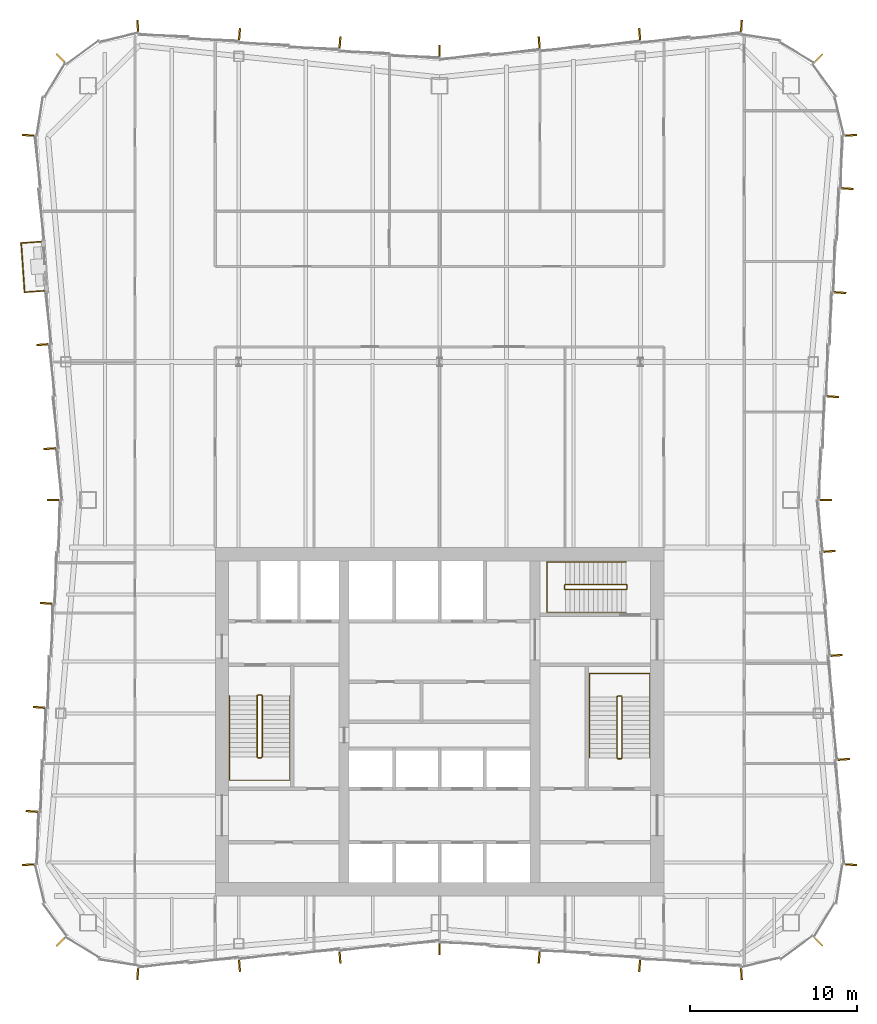
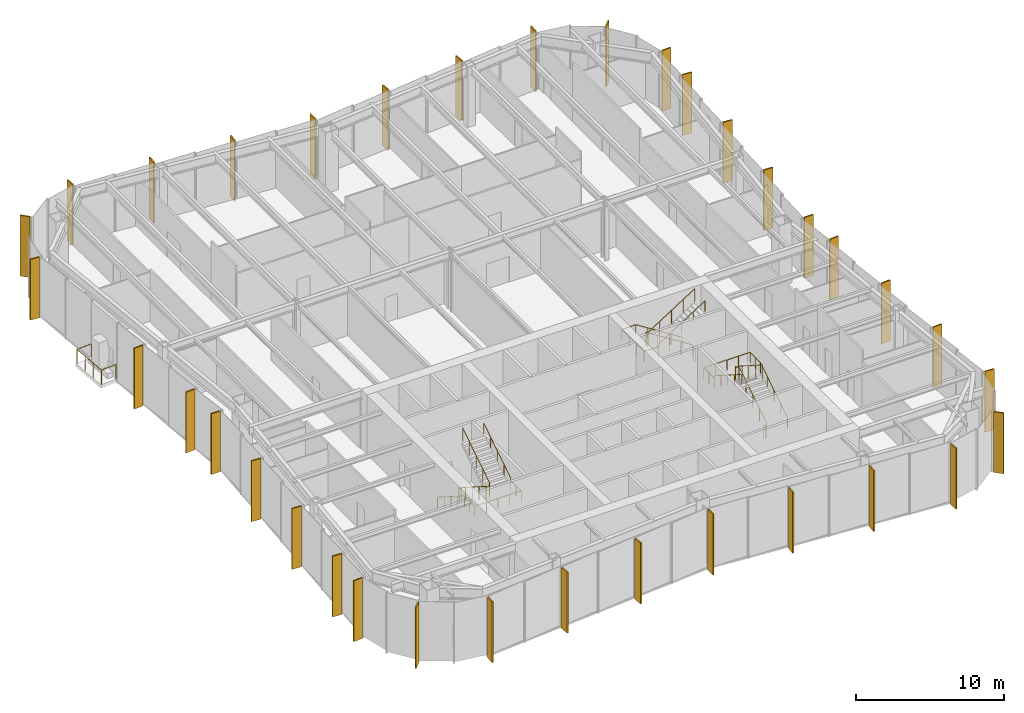
# One storey, part 14 of 15: 35 shading devices, 7 railings.
"""IFC4 building model written with IfcOpenShell, lengths in metres."""

from ifc_helpers import new_model, si_unit, direction, frame, origin, origin_2d, place, context, subcontext, project, spatial, rectangle, circle, extrude, material, layer, layer_set, type_object, element, save


model = new_model("IFC4")

# Units and contexts
model_context = context("Model", 3, precision=1e-05, world=origin(), true_north=direction((0.0, 1.0)))
body_context = subcontext(model_context, "Body", "Model", "MODEL_VIEW")
ifc_project = project(units=[si_unit("LENGTHUNIT", "METRE"), si_unit("AREAUNIT", "SQUARE_METRE"), si_unit("VOLUMEUNIT", "CUBIC_METRE"), si_unit("PLANEANGLEUNIT", "RADIAN"), si_unit("MASSUNIT", "GRAM", prefix="KILO")], contexts=[model_context])

# Site, building, storey
site_placement = place(None, origin())
site = spatial("IfcSite", under=ifc_project, at=site_placement, CompositionType="ELEMENT")
building_placement = place(site_placement, origin())
building = spatial("IfcBuilding", under=site, at=building_placement, Name="Verdant Reach Tower", CompositionType="ELEMENT")
storey_placement = place(building_placement, frame((0.0, 0.0, 233.0)))
storey = spatial("IfcBuildingStorey", under=building, at=storey_placement, Name="L53", CompositionType="ELEMENT", Elevation=233.0)

# Railings
ifc_material_1 = material(Name="Stainless steel", Category="steel")
railing_type_1 = type_object("IfcRailingType", Name="CO-GUARD", PredefinedType="GUARDRAIL", material=ifc_material_1)
railing_1_placement = place(storey_placement, frame((-10.64990234375, 29.60009765625, 0.0)))
element("IfcRailing", 1, at=railing_1_placement, inside=storey, type_object=railing_type_1, Name="L53 ST-1 stair guard 1", PredefinedType="GUARDRAIL", context=body_context, shape_type="SweptSolid", body=[
    extrude(circle(Radius=0.02392578125, at=origin_2d()), frame((0.0, 0.0, 1.076171875), z_axis=(-1.0, 0.0, 0.0), x_axis=(0.0, -1.0, 0.0)), (0.0, 0.0, 1.0), 0.2001953125),
    extrude(circle(Radius=0.02392578125, at=origin_2d()), frame((-0.2001953125, 0.0, 1.076171875), z_axis=(-0.25949872427, -0.26077077684, 0.929870428634), x_axis=(0.708833529934, -0.705375805398, 0.0)), (0.0, 0.0, 1.0), 0.19189453125),
    extrude(circle(Radius=0.02392578125, at=origin_2d()), frame((-0.25, -0.050048828125, 1.25439453125), z_axis=(0.0, -0.843127859045, 0.537713132908), x_axis=(1.0, 0.0, 0.0)), (0.0, 0.0, 1.0), 4.3173828125),
    extrude(circle(Radius=0.02392578125, at=origin_2d()), frame((-0.25, -3.690185546875, 3.576171875), z_axis=(0.707106781187, -0.707106781187, 0.0), x_axis=(0.707106781187, 0.707106781187, 0.0)), (0.0, 0.0, 1.0), 0.0703125),
    extrude(circle(Radius=0.02392578125, at=origin_2d()), frame((-0.2001953125, -3.739990234375, 3.576171875), z_axis=(1.0, 0.0, 0.0), x_axis=(0.0, 1.0, 0.0)), (0.0, 0.0, 1.0), 0.2001953125),
    extrude(circle(Radius=0.02392578125, at=origin_2d()), frame((0.0, -3.739990234375, 3.576171875), z_axis=(0.259584636361, 0.259584636361, 0.930178280294), x_axis=(-0.707106781187, 0.707106781187, 0.0)), (0.0, 0.0, 1.0), 0.19189453125),
    extrude(circle(Radius=0.02392578125, at=origin_2d()), frame((0.0498046875, -3.690185546875, 3.75439453125), z_axis=(0.0, 0.843127859045, 0.537713132908), x_axis=(-1.0, 0.0, 0.0)), (0.0, 0.0, 1.0), 4.3173828125),
    extrude(circle(Radius=0.02099609375, at=origin_2d()), origin(), (0.0, 0.0, 1.0), 1.052001953125),
    extrude(circle(Radius=0.02099609375, at=origin_2d()), frame((-0.2001953125, 0.0, 0.0)), (0.0, 0.0, 1.0), 1.052001953125),
    extrude(circle(Radius=0.02099609375, at=origin_2d()), frame((-0.25, -0.050048828125, 0.178466796875)), (0.0, 0.0, 1.0), 1.052001953125),
    extrude(circle(Radius=0.02099609375, at=origin_2d()), frame((-0.25, -0.9599609375, 0.7587890625)), (0.0, 0.0, 1.0), 1.052001953125),
    extrude(circle(Radius=0.02099609375, at=origin_2d()), frame((-0.25, -1.8701171875, 1.33935546875)), (0.0, 0.0, 1.0), 1.052001953125),
    extrude(circle(Radius=0.02099609375, at=origin_2d()), frame((-0.25, -2.7802734375, 1.919677734375)), (0.0, 0.0, 1.0), 1.052001953125),
    extrude(circle(Radius=0.02099609375, at=origin_2d()), frame((-0.25, -3.690185546875, 2.5)), (0.0, 0.0, 1.0), 1.052001953125),
    extrude(circle(Radius=0.02099609375, at=origin_2d()), frame((-0.2001953125, -3.739990234375, 2.5)), (0.0, 0.0, 1.0), 1.052001953125),
    extrude(circle(Radius=0.02099609375, at=origin_2d()), frame((0.0, -3.739990234375, 2.5)), (0.0, 0.0, 1.0), 1.052001953125),
    extrude(circle(Radius=0.02099609375, at=origin_2d()), frame((0.0498046875, -3.690185546875, 2.678466796875)), (0.0, 0.0, 1.0), 1.052001953125),
    extrude(circle(Radius=0.02099609375, at=origin_2d()), frame((0.0498046875, -2.7802734375, 3.2587890625)), (0.0, 0.0, 1.0), 1.052001953125),
    extrude(circle(Radius=0.02099609375, at=origin_2d()), frame((0.0498046875, -1.8701171875, 3.83935546875)), (0.0, 0.0, 1.0), 1.052001953125),
    extrude(circle(Radius=0.02099609375, at=origin_2d()), frame((0.0498046875, -0.9599609375, 4.419677734375)), (0.0, 0.0, 1.0), 1.052001953125),
    extrude(circle(Radius=0.02099609375, at=origin_2d()), frame((0.0498046875, -0.050048828125, 5.0)), (0.0, 0.0, 1.0), 1.052001953125),
])
railing_2_placement = place(storey_placement, frame((10.64990234375, 25.800048828125, 0.0)))
element("IfcRailing", 2, at=railing_2_placement, inside=storey, type_object=railing_type_1, Name="L53 ST-2 stair guard 1", PredefinedType="GUARDRAIL", context=body_context, shape_type="SweptSolid", body=[
    extrude(circle(Radius=0.02392578125, at=origin_2d()), frame((0.0, 0.0, 1.076171875), z_axis=(1.0, 0.0, 0.0), x_axis=(0.0, 1.0, 0.0)), (0.0, 0.0, 1.0), 0.2001953125),
    extrude(circle(Radius=0.02392578125, at=origin_2d()), frame((0.2001953125, 0.0, 1.076171875), z_axis=(0.25949872427, 0.26077077684, 0.929870428634), x_axis=(-0.708833529934, 0.705375805398, 0.0)), (0.0, 0.0, 1.0), 0.19189453125),
    extrude(circle(Radius=0.02392578125, at=origin_2d()), frame((0.25, 0.050048828125, 1.25439453125), z_axis=(0.0, 0.843111507901, 0.53773877045), x_axis=(-1.0, 0.0, 0.0)), (0.0, 0.0, 1.0), 4.317138671875),
    extrude(circle(Radius=0.02392578125, at=origin_2d()), frame((0.25, 3.68994140625, 3.576171875), z_axis=(-0.705375805398, 0.708833529934, 0.0), x_axis=(-0.708833529934, -0.705375805398, 0.0)), (0.0, 0.0, 1.0), 0.070556640625),
    extrude(circle(Radius=0.02392578125, at=origin_2d()), frame((0.2001953125, 3.739990234375, 3.576171875), z_axis=(-1.0, 0.0, 0.0), x_axis=(0.0, -1.0, 0.0)), (0.0, 0.0, 1.0), 0.2001953125),
    extrude(circle(Radius=0.02392578125, at=origin_2d()), frame((0.0, 3.739990234375, 3.576171875), z_axis=(-0.25949872427, -0.26077077684, 0.929870428634), x_axis=(0.708833529934, -0.705375805398, 0.0)), (0.0, 0.0, 1.0), 0.19189453125),
    extrude(circle(Radius=0.02392578125, at=origin_2d()), frame((-0.0498046875, 3.68994140625, 3.75439453125), z_axis=(0.0, -0.843111507901, 0.53773877045), x_axis=(1.0, 0.0, 0.0)), (0.0, 0.0, 1.0), 4.317138671875),
    extrude(circle(Radius=0.02099609375, at=origin_2d()), origin(), (0.0, 0.0, 1.0), 1.052001953125),
    extrude(circle(Radius=0.02099609375, at=origin_2d()), frame((0.2001953125, 0.0, 0.0)), (0.0, 0.0, 1.0), 1.052001953125),
    extrude(circle(Radius=0.02099609375, at=origin_2d()), frame((0.25, 0.050048828125, 0.178466796875)), (0.0, 0.0, 1.0), 1.052001953125),
    extrude(circle(Radius=0.02099609375, at=origin_2d()), frame((0.25, 0.9599609375, 0.7587890625)), (0.0, 0.0, 1.0), 1.052001953125),
    extrude(circle(Radius=0.02099609375, at=origin_2d()), frame((0.25, 1.8701171875, 1.33935546875)), (0.0, 0.0, 1.0), 1.052001953125),
    extrude(circle(Radius=0.02099609375, at=origin_2d()), frame((0.25, 2.780029296875, 1.919677734375)), (0.0, 0.0, 1.0), 1.052001953125),
    extrude(circle(Radius=0.02099609375, at=origin_2d()), frame((0.25, 3.68994140625, 2.5)), (0.0, 0.0, 1.0), 1.052001953125),
    extrude(circle(Radius=0.02099609375, at=origin_2d()), frame((0.2001953125, 3.739990234375, 2.5)), (0.0, 0.0, 1.0), 1.052001953125),
    extrude(circle(Radius=0.02099609375, at=origin_2d()), frame((0.0, 3.739990234375, 2.5)), (0.0, 0.0, 1.0), 1.052001953125),
    extrude(circle(Radius=0.02099609375, at=origin_2d()), frame((-0.0498046875, 3.68994140625, 2.678466796875)), (0.0, 0.0, 1.0), 1.052001953125),
    extrude(circle(Radius=0.02099609375, at=origin_2d()), frame((-0.0498046875, 2.780029296875, 3.2587890625)), (0.0, 0.0, 1.0), 1.052001953125),
    extrude(circle(Radius=0.02099609375, at=origin_2d()), frame((-0.0498046875, 1.8701171875, 3.83935546875)), (0.0, 0.0, 1.0), 1.052001953125),
    extrude(circle(Radius=0.02099609375, at=origin_2d()), frame((-0.0498046875, 0.9599609375, 4.419677734375)), (0.0, 0.0, 1.0), 1.052001953125),
    extrude(circle(Radius=0.02099609375, at=origin_2d()), frame((-0.0498046875, 0.050048828125, 5.0)), (0.0, 0.0, 1.0), 1.052001953125),
])
railing_3_placement = place(storey_placement, frame((11.199951171875, 35.949951171875, 0.0)))
element("IfcRailing", 3, at=railing_3_placement, inside=storey, type_object=railing_type_1, Name="L53 ST-3 stair guard 1", PredefinedType="GUARDRAIL", context=body_context, shape_type="SweptSolid", body=[
    extrude(circle(Radius=0.02392578125, at=origin_2d()), frame((0.0, 0.0, 1.076171875), z_axis=(0.0, 1.0, 0.0), x_axis=(-1.0, 0.0, 0.0)), (0.0, 0.0, 1.0), 0.199951171875),
    extrude(circle(Radius=0.02392578125, at=origin_2d()), frame((0.0, 0.199951171875, 1.076171875), z_axis=(-0.260684529273, 0.260684529273, 0.929562882432), x_axis=(-0.707106781187, -0.707106781187, 0.0)), (0.0, 0.0, 1.0), 0.19189453125),
    extrude(circle(Radius=0.02392578125, at=origin_2d()), frame((-0.050048828125, 0.25, 1.25439453125), z_axis=(-0.843111507901, 0.0, 0.53773877045), x_axis=(0.0, -1.0, 0.0)), (0.0, 0.0, 1.0), 4.317138671875),
    extrude(circle(Radius=0.02392578125, at=origin_2d()), frame((-3.68994140625, 0.25, 3.576171875), z_axis=(-0.707106781187, -0.707106781187, 0.0), x_axis=(0.707106781187, -0.707106781187, 0.0)), (0.0, 0.0, 1.0), 0.07080078125),
    extrude(circle(Radius=0.02392578125, at=origin_2d()), frame((-3.739990234375, 0.199951171875, 3.576171875), z_axis=(0.0, -1.0, 0.0), x_axis=(1.0, 0.0, 0.0)), (0.0, 0.0, 1.0), 0.199951171875),
    extrude(circle(Radius=0.02392578125, at=origin_2d()), frame((-3.739990234375, 0.0, 3.576171875), z_axis=(0.260684529273, -0.260684529273, 0.929562882432), x_axis=(0.707106781187, 0.707106781187, 0.0)), (0.0, 0.0, 1.0), 0.19189453125),
    extrude(circle(Radius=0.02392578125, at=origin_2d()), frame((-3.68994140625, -0.050048828125, 3.75439453125), z_axis=(0.843111507901, 0.0, 0.53773877045), x_axis=(0.0, 1.0, 0.0)), (0.0, 0.0, 1.0), 4.317138671875),
    extrude(circle(Radius=0.02099609375, at=origin_2d()), origin(), (0.0, 0.0, 1.0), 1.052001953125),
    extrude(circle(Radius=0.02099609375, at=origin_2d()), frame((0.0, 0.199951171875, 0.0)), (0.0, 0.0, 1.0), 1.052001953125),
    extrude(circle(Radius=0.02099609375, at=origin_2d()), frame((-0.050048828125, 0.25, 0.178466796875)), (0.0, 0.0, 1.0), 1.052001953125),
    extrude(circle(Radius=0.02099609375, at=origin_2d()), frame((-0.9599609375, 0.25, 0.7587890625)), (0.0, 0.0, 1.0), 1.052001953125),
    extrude(circle(Radius=0.02099609375, at=origin_2d()), frame((-1.8701171875, 0.25, 1.33935546875)), (0.0, 0.0, 1.0), 1.052001953125),
    extrude(circle(Radius=0.02099609375, at=origin_2d()), frame((-2.780029296875, 0.25, 1.919677734375)), (0.0, 0.0, 1.0), 1.052001953125),
    extrude(circle(Radius=0.02099609375, at=origin_2d()), frame((-3.68994140625, 0.25, 2.5)), (0.0, 0.0, 1.0), 1.052001953125),
    extrude(circle(Radius=0.02099609375, at=origin_2d()), frame((-3.739990234375, 0.199951171875, 2.5)), (0.0, 0.0, 1.0), 1.052001953125),
    extrude(circle(Radius=0.02099609375, at=origin_2d()), frame((-3.739990234375, 0.0, 2.5)), (0.0, 0.0, 1.0), 1.052001953125),
    extrude(circle(Radius=0.02099609375, at=origin_2d()), frame((-3.68994140625, -0.050048828125, 2.678466796875)), (0.0, 0.0, 1.0), 1.052001953125),
    extrude(circle(Radius=0.02099609375, at=origin_2d()), frame((-2.780029296875, -0.050048828125, 3.2587890625)), (0.0, 0.0, 1.0), 1.052001953125),
    extrude(circle(Radius=0.02099609375, at=origin_2d()), frame((-1.8701171875, -0.050048828125, 3.83935546875)), (0.0, 0.0, 1.0), 1.052001953125),
    extrude(circle(Radius=0.02099609375, at=origin_2d()), frame((-0.9599609375, -0.050048828125, 4.419677734375)), (0.0, 0.0, 1.0), 1.052001953125),
    extrude(circle(Radius=0.02099609375, at=origin_2d()), frame((-0.050048828125, -0.050048828125, 5.0)), (0.0, 0.0, 1.0), 1.052001953125),
])
railing_type_2 = type_object("IfcRailingType", Name="CO-HANDRAIL", PredefinedType="HANDRAIL", material=ifc_material_1)
railing_4_placement = place(storey_placement, frame((-12.550048828125, 29.550048828125, 0.178466796875)))
element("IfcRailing", 4, at=railing_4_placement, inside=storey, type_object=railing_type_2, Name="L53 ST-1 stair handrail 1", PredefinedType="HANDRAIL", context=body_context, shape_type="SweptSolid", body=[
    extrude(circle(Radius=0.02392578125, at=origin_2d()), frame((0.0, 0.0, 0.8759765625), z_axis=(0.0, -0.843127859045, 0.537713132908), x_axis=(1.0, 0.0, 0.0)), (0.0, 0.0, 1.0), 4.3173828125),
    extrude(circle(Radius=0.02392578125, at=origin_2d()), frame((0.0, -3.64013671875, 3.197265625), z_axis=(0.0, -1.0, 0.0), x_axis=(1.0, 0.0, 0.0)), (0.0, 0.0, 1.0), 1.39990234375),
    extrude(circle(Radius=0.02392578125, at=origin_2d()), frame((0.0, -5.0400390625, 3.197265625), z_axis=(1.0, 0.0, 0.0), x_axis=(0.0, 1.0, 0.0)), (0.0, 0.0, 1.0), 3.60009765625),
    extrude(circle(Radius=0.02392578125, at=origin_2d()), frame((3.60009765625, -5.0400390625, 3.197265625), z_axis=(0.0, 1.0, 0.0), x_axis=(-1.0, 0.0, 0.0)), (0.0, 0.0, 1.0), 1.39990234375),
    extrude(circle(Radius=0.02392578125, at=origin_2d()), frame((3.60009765625, -3.64013671875, 3.197265625), z_axis=(0.0, 0.0, 1.0), x_axis=(1.0, 0.0, 0.0)), (0.0, 0.0, 1.0), 0.178466796875),
    extrude(circle(Radius=0.02392578125, at=origin_2d()), frame((3.60009765625, -3.64013671875, 3.3759765625), z_axis=(0.0, 0.843127859045, 0.537713132908), x_axis=(-1.0, 0.0, 0.0)), (0.0, 0.0, 1.0), 4.3173828125),
    extrude(circle(Radius=0.02099609375, at=origin_2d()), origin(), (0.0, 0.0, 1.0), 0.851806640625),
    extrude(circle(Radius=0.02099609375, at=origin_2d()), frame((0.0, -0.91015625, 0.580322265625)), (0.0, 0.0, 1.0), 0.851806640625),
    extrude(circle(Radius=0.02099609375, at=origin_2d()), frame((0.0, -1.820068359375, 1.16064453125)), (0.0, 0.0, 1.0), 0.851806640625),
    extrude(circle(Radius=0.02099609375, at=origin_2d()), frame((0.0, -2.72998046875, 1.7412109375)), (0.0, 0.0, 1.0), 0.851806640625),
    extrude(circle(Radius=0.02099609375, at=origin_2d()), frame((0.0, -3.64013671875, 2.321533203125)), (0.0, 0.0, 1.0), 0.851806640625),
    extrude(circle(Radius=0.02099609375, at=origin_2d()), frame((0.0, -4.340087890625, 2.321533203125)), (0.0, 0.0, 1.0), 0.851806640625),
    extrude(circle(Radius=0.02099609375, at=origin_2d()), frame((0.0, -5.0400390625, 2.321533203125)), (0.0, 0.0, 1.0), 0.851806640625),
    extrude(circle(Radius=0.02099609375, at=origin_2d()), frame((0.89990234375, -5.0400390625, 2.321533203125)), (0.0, 0.0, 1.0), 0.851806640625),
    extrude(circle(Radius=0.02099609375, at=origin_2d()), frame((1.800048828125, -5.0400390625, 2.321533203125)), (0.0, 0.0, 1.0), 0.851806640625),
    extrude(circle(Radius=0.02099609375, at=origin_2d()), frame((2.7001953125, -5.0400390625, 2.321533203125)), (0.0, 0.0, 1.0), 0.851806640625),
    extrude(circle(Radius=0.02099609375, at=origin_2d()), frame((3.60009765625, -5.0400390625, 2.321533203125)), (0.0, 0.0, 1.0), 0.851806640625),
    extrude(circle(Radius=0.02099609375, at=origin_2d()), frame((3.60009765625, -4.340087890625, 2.321533203125)), (0.0, 0.0, 1.0), 0.851806640625),
    extrude(circle(Radius=0.02099609375, at=origin_2d()), frame((3.60009765625, -3.64013671875, 2.321533203125)), (0.0, 0.0, 1.0), 0.851806640625),
    extrude(circle(Radius=0.02099609375, at=origin_2d()), frame((3.60009765625, -3.64013671875, 2.5)), (0.0, 0.0, 1.0), 0.851806640625),
    extrude(circle(Radius=0.02099609375, at=origin_2d()), frame((3.60009765625, -2.72998046875, 3.080322265625)), (0.0, 0.0, 1.0), 0.851806640625),
    extrude(circle(Radius=0.02099609375, at=origin_2d()), frame((3.60009765625, -1.820068359375, 3.66064453125)), (0.0, 0.0, 1.0), 0.851806640625),
    extrude(circle(Radius=0.02099609375, at=origin_2d()), frame((3.60009765625, -0.91015625, 4.2412109375)), (0.0, 0.0, 1.0), 0.851806640625),
    extrude(circle(Radius=0.02099609375, at=origin_2d()), frame((3.60009765625, 0.0, 4.821533203125)), (0.0, 0.0, 1.0), 0.851806640625),
])
railing_5_placement = place(storey_placement, frame((12.550048828125, 25.85009765625, 0.178466796875)))
element("IfcRailing", 5, at=railing_5_placement, inside=storey, type_object=railing_type_2, Name="L53 ST-2 stair handrail 1", PredefinedType="HANDRAIL", context=body_context, shape_type="SweptSolid", body=[
    extrude(circle(Radius=0.02392578125, at=origin_2d()), frame((0.0, 0.0, 0.8759765625), z_axis=(0.0, 0.843111507901, 0.53773877045), x_axis=(-1.0, 0.0, 0.0)), (0.0, 0.0, 1.0), 4.317138671875),
    extrude(circle(Radius=0.02392578125, at=origin_2d()), frame((0.0, 3.639892578125, 3.197265625), z_axis=(0.0, 1.0, 0.0), x_axis=(-1.0, 0.0, 0.0)), (0.0, 0.0, 1.0), 1.39990234375),
    extrude(circle(Radius=0.02392578125, at=origin_2d()), frame((0.0, 5.039794921875, 3.197265625), z_axis=(-1.0, 0.0, 0.0), x_axis=(0.0, -1.0, 0.0)), (0.0, 0.0, 1.0), 3.60009765625),
    extrude(circle(Radius=0.02392578125, at=origin_2d()), frame((-3.60009765625, 5.039794921875, 3.197265625), z_axis=(0.0, -1.0, 0.0), x_axis=(1.0, 0.0, 0.0)), (0.0, 0.0, 1.0), 1.39990234375),
    extrude(circle(Radius=0.02392578125, at=origin_2d()), frame((-3.60009765625, 3.639892578125, 3.197265625), z_axis=(0.0, 0.0, 1.0), x_axis=(1.0, 0.0, 0.0)), (0.0, 0.0, 1.0), 0.178466796875),
    extrude(circle(Radius=0.02392578125, at=origin_2d()), frame((-3.60009765625, 3.639892578125, 3.3759765625), z_axis=(0.0, -0.843111507901, 0.53773877045), x_axis=(1.0, 0.0, 0.0)), (0.0, 0.0, 1.0), 4.317138671875),
    extrude(circle(Radius=0.02099609375, at=origin_2d()), origin(), (0.0, 0.0, 1.0), 0.851806640625),
    extrude(circle(Radius=0.02099609375, at=origin_2d()), frame((0.0, 0.909912109375, 0.580322265625)), (0.0, 0.0, 1.0), 0.851806640625),
    extrude(circle(Radius=0.02099609375, at=origin_2d()), frame((0.0, 1.81982421875, 1.16064453125)), (0.0, 0.0, 1.0), 0.851806640625),
    extrude(circle(Radius=0.02099609375, at=origin_2d()), frame((0.0, 2.72998046875, 1.7412109375)), (0.0, 0.0, 1.0), 0.851806640625),
    extrude(circle(Radius=0.02099609375, at=origin_2d()), frame((0.0, 3.639892578125, 2.321533203125)), (0.0, 0.0, 1.0), 0.851806640625),
    extrude(circle(Radius=0.02099609375, at=origin_2d()), frame((0.0, 4.33984375, 2.321533203125)), (0.0, 0.0, 1.0), 0.851806640625),
    extrude(circle(Radius=0.02099609375, at=origin_2d()), frame((0.0, 5.039794921875, 2.321533203125)), (0.0, 0.0, 1.0), 0.851806640625),
    extrude(circle(Radius=0.02099609375, at=origin_2d()), frame((-0.89990234375, 5.039794921875, 2.321533203125)), (0.0, 0.0, 1.0), 0.851806640625),
    extrude(circle(Radius=0.02099609375, at=origin_2d()), frame((-1.800048828125, 5.039794921875, 2.321533203125)), (0.0, 0.0, 1.0), 0.851806640625),
    extrude(circle(Radius=0.02099609375, at=origin_2d()), frame((-2.7001953125, 5.039794921875, 2.321533203125)), (0.0, 0.0, 1.0), 0.851806640625),
    extrude(circle(Radius=0.02099609375, at=origin_2d()), frame((-3.60009765625, 5.039794921875, 2.321533203125)), (0.0, 0.0, 1.0), 0.851806640625),
    extrude(circle(Radius=0.02099609375, at=origin_2d()), frame((-3.60009765625, 4.33984375, 2.321533203125)), (0.0, 0.0, 1.0), 0.851806640625),
    extrude(circle(Radius=0.02099609375, at=origin_2d()), frame((-3.60009765625, 3.639892578125, 2.321533203125)), (0.0, 0.0, 1.0), 0.851806640625),
    extrude(circle(Radius=0.02099609375, at=origin_2d()), frame((-3.60009765625, 3.639892578125, 2.5)), (0.0, 0.0, 1.0), 0.851806640625),
    extrude(circle(Radius=0.02099609375, at=origin_2d()), frame((-3.60009765625, 2.72998046875, 3.080322265625)), (0.0, 0.0, 1.0), 0.851806640625),
    extrude(circle(Radius=0.02099609375, at=origin_2d()), frame((-3.60009765625, 1.81982421875, 3.66064453125)), (0.0, 0.0, 1.0), 0.851806640625),
    extrude(circle(Radius=0.02099609375, at=origin_2d()), frame((-3.60009765625, 0.909912109375, 4.2412109375)), (0.0, 0.0, 1.0), 0.851806640625),
    extrude(circle(Radius=0.02099609375, at=origin_2d()), frame((-3.60009765625, 0.0, 4.821533203125)), (0.0, 0.0, 1.0), 0.851806640625),
])
railing_6_placement = place(storey_placement, frame((11.14990234375, 37.550048828125, 0.178466796875)))
element("IfcRailing", 6, at=railing_6_placement, inside=storey, type_object=railing_type_2, Name="L53 ST-3 stair handrail 1", PredefinedType="HANDRAIL", context=body_context, shape_type="SweptSolid", body=[
    extrude(circle(Radius=0.02392578125, at=origin_2d()), frame((0.0, 0.0, 0.8759765625), z_axis=(-0.843111507901, 0.0, 0.53773877045), x_axis=(0.0, -1.0, 0.0)), (0.0, 0.0, 1.0), 4.317138671875),
    extrude(circle(Radius=0.02392578125, at=origin_2d()), frame((-3.639892578125, 0.0, 3.197265625), z_axis=(-1.0, 0.0, 0.0), x_axis=(0.0, -1.0, 0.0)), (0.0, 0.0, 1.0), 1.10009765625),
    extrude(circle(Radius=0.02392578125, at=origin_2d()), frame((-4.739990234375, 0.0, 3.197265625), z_axis=(0.0, -1.0, 0.0), x_axis=(1.0, 0.0, 0.0)), (0.0, 0.0, 1.0), 3.0),
    extrude(circle(Radius=0.02392578125, at=origin_2d()), frame((-4.739990234375, -3.0, 3.197265625), z_axis=(1.0, 0.0, 0.0), x_axis=(0.0, 1.0, 0.0)), (0.0, 0.0, 1.0), 1.10009765625),
    extrude(circle(Radius=0.02392578125, at=origin_2d()), frame((-3.639892578125, -3.0, 3.197265625), z_axis=(0.0, 0.0, 1.0), x_axis=(1.0, 0.0, 0.0)), (0.0, 0.0, 1.0), 0.178466796875),
    extrude(circle(Radius=0.02392578125, at=origin_2d()), frame((-3.639892578125, -3.0, 3.3759765625), z_axis=(0.843111507901, 0.0, 0.53773877045), x_axis=(0.0, 1.0, 0.0)), (0.0, 0.0, 1.0), 4.317138671875),
    extrude(circle(Radius=0.02099609375, at=origin_2d()), origin(), (0.0, 0.0, 1.0), 0.851806640625),
    extrude(circle(Radius=0.02099609375, at=origin_2d()), frame((-0.909912109375, 0.0, 0.580322265625)), (0.0, 0.0, 1.0), 0.851806640625),
    extrude(circle(Radius=0.02099609375, at=origin_2d()), frame((-1.81982421875, 0.0, 1.16064453125)), (0.0, 0.0, 1.0), 0.851806640625),
    extrude(circle(Radius=0.02099609375, at=origin_2d()), frame((-2.72998046875, 0.0, 1.7412109375)), (0.0, 0.0, 1.0), 0.851806640625),
    extrude(circle(Radius=0.02099609375, at=origin_2d()), frame((-3.639892578125, 0.0, 2.321533203125)), (0.0, 0.0, 1.0), 0.851806640625),
    extrude(circle(Radius=0.02099609375, at=origin_2d()), frame((-4.739990234375, 0.0, 2.321533203125)), (0.0, 0.0, 1.0), 0.851806640625),
    extrude(circle(Radius=0.02099609375, at=origin_2d()), frame((-4.739990234375, -1.0, 2.321533203125)), (0.0, 0.0, 1.0), 0.851806640625),
    extrude(circle(Radius=0.02099609375, at=origin_2d()), frame((-4.739990234375, -2.0, 2.321533203125)), (0.0, 0.0, 1.0), 0.851806640625),
    extrude(circle(Radius=0.02099609375, at=origin_2d()), frame((-4.739990234375, -3.0, 2.321533203125)), (0.0, 0.0, 1.0), 0.851806640625),
    extrude(circle(Radius=0.02099609375, at=origin_2d()), frame((-3.639892578125, -3.0, 2.321533203125)), (0.0, 0.0, 1.0), 0.851806640625),
    extrude(circle(Radius=0.02099609375, at=origin_2d()), frame((-3.639892578125, -3.0, 2.5)), (0.0, 0.0, 1.0), 0.851806640625),
    extrude(circle(Radius=0.02099609375, at=origin_2d()), frame((-2.72998046875, -3.0, 3.080322265625)), (0.0, 0.0, 1.0), 0.851806640625),
    extrude(circle(Radius=0.02099609375, at=origin_2d()), frame((-1.81982421875, -3.0, 3.66064453125)), (0.0, 0.0, 1.0), 0.851806640625),
    extrude(circle(Radius=0.02099609375, at=origin_2d()), frame((-0.909912109375, -3.0, 4.2412109375)), (0.0, 0.0, 1.0), 0.851806640625),
    extrude(circle(Radius=0.02099609375, at=origin_2d()), frame((0.0, -3.0, 4.821533203125)), (0.0, 0.0, 1.0), 0.851806640625),
])

# Shading devices
ifc_material_2 = material(Name="Bronze fin, champagne", Category="aluminium")
ifc_layer_1 = layer(ifc_material_2, 0.10009765625)
ifc_layer_set_1 = layer_set([ifc_layer_1], Name="EN-FIN CHAMPAGNE")
shading_device_type_1 = type_object("IfcShadingDeviceType", Name="EN-FIN CHAMPAGNE", PredefinedType="USERDEFINED", material=ifc_layer_set_1)
for number, where, z_axis, x_axis, name in (
    (7, (23.715576171875, 31.968017578125, -0.35009765625), (0.0, 0.0, 1.0), (-0.068802091615, 0.997630328423, 0.0), "Fin east face part 1 5, L53"),
    (8, (23.9296875, 53.63916015625, -0.35009765625), (0.0, 0.0, 1.0), (0.068802091615, 0.997630328423, 0.0), "Fin east face part 2 5, L53"),
    (9, (24.3583984375, 59.853271484375, -0.35009765625), (0.0, 0.0, 1.0), (0.068802091615, 0.997630328423, 0.0), "Fin east face part 2 7, L53"),
    (10, (11.952392578125, 69.072021484375, -0.35009765625), (0.0, 0.0, 1.0), (-0.996545758244, -0.083045479859, 0.0), "Fin north face part 1 3, L53"),
    (11, (-11.952392578125, 69.072021484375, -0.35009765625), (0.0, 0.0, 1.0), (-0.996545758244, 0.083045479859, 0.0), "Fin north face part 2 5, L53"),
    (12, (-22.6484375, 67.6484375, -0.35009765625), (0.0, 0.0, 1.0), (-0.707106781187, -0.707106781187, 0.0), "Fin north-west corner 3, L53"),
    (13, (-24.57275390625, 63.03662109375, -0.35009765625), (0.0, 0.0, 1.0), (-0.063698618332, -0.997969180898, 0.0), "Fin west face part 1 1, L53"),
    (14, (-23.501220703125, 35.0751953125, -0.35009765625), (0.0, 0.0, 1.0), (-0.068802091615, -0.997630328423, 0.0), "Fin west face part 2 3, L53"),
    (15, (-24.57275390625, 19.46337890625, -0.35009765625), (0.0, 0.0, 1.0), (0.063698618332, -0.997969180898, 0.0), "Fin south-west corner 1, L53"),
    (16, (0.0, 14.426025390625, -0.35009765625), (0.0, 0.0, 1.0), (1.0, 0.0, 0.0), "Fin south face part 2 1, L53"),
):
    element("IfcShadingDevice", number, at=place(storey_placement, frame(where, z_axis=z_axis, x_axis=x_axis)), inside=storey, type_object=shading_device_type_1, Name=name, ObjectType="FIN", PredefinedType="USERDEFINED", context=body_context, shape_type="SweptSolid", body=[
        extrude(rectangle(XDim=0.10009765625, YDim=0.699951171875, at=origin_2d()), origin(), (0.0, 0.0, 1.0), 5.0),
    ])
ifc_material_3 = material(Name="Bronze fin, copper", Category="aluminium")
ifc_layer_2 = layer(ifc_material_3, 0.10009765625)
ifc_layer_set_2 = layer_set([ifc_layer_2], Name="EN-FIN COPPER")
shading_device_type_2 = type_object("IfcShadingDeviceType", Name="EN-FIN COPPER", PredefinedType="USERDEFINED", material=ifc_layer_set_2)
for number, where, z_axis, x_axis, name in (
    (17, (18.032470703125, 12.927001953125, -0.35009765625), (0.0, 0.0, 1.0), (0.998398681387, 0.056569187765, 0.0), "Fin south-east corner 1, L53"),
    (18, (23.286865234375, 38.182373046875, -0.35009765625), (0.0, 0.0, 1.0), (-0.068802091615, 0.997630328423, 0.0), "Fin east face part 1 7, L53"),
    (19, (23.073974609375, 41.25, -0.35009765625), (0.0, 0.0, 1.0), (0.0, 1.0, 0.0), "Fin east face part 2 1, L53"),
    (20, (5.952392578125, 68.572021484375, -0.35009765625), (0.0, 0.0, 1.0), (-0.996545758244, -0.083045479859, 0.0), "Fin north face part 1 5, L53"),
    (21, (-23.9296875, 28.86083984375, -0.35009765625), (0.0, 0.0, 1.0), (-0.068802091615, -0.997630328423, 0.0), "Fin west face part 2 5, L53"),
    (22, (-22.6484375, 14.8515625, -0.35009765625), (0.0, 0.0, 1.0), (0.707106781187, -0.707106781187, 0.0), "Fin south-west corner 3, L53"),
    (23, (-18.032470703125, 12.927001953125, -0.35009765625), (0.0, 0.0, 1.0), (0.998398681387, -0.056569187765, 0.0), "Fin south face part 1 1, L53"),
    (24, (5.952392578125, 13.927978515625, -0.35009765625), (0.0, 0.0, 1.0), (0.996545758244, -0.083045479859, 0.0), "Fin south face part 2 3, L53"),
):
    element("IfcShadingDevice", number, at=place(storey_placement, frame(where, z_axis=z_axis, x_axis=x_axis)), inside=storey, type_object=shading_device_type_2, Name=name, ObjectType="FIN", PredefinedType="USERDEFINED", context=body_context, shape_type="SweptSolid", body=[
        extrude(rectangle(XDim=0.10009765625, YDim=0.699951171875, at=origin_2d()), origin(), (0.0, 0.0, 1.0), 5.0),
    ])
ifc_material_4 = material(Name="Bronze fin, dark bronze", Category="aluminium")
ifc_layer_3 = layer(ifc_material_4, 0.10009765625)
ifc_layer_set_3 = layer_set([ifc_layer_3], Name="EN-FIN DARK")
shading_device_type_3 = type_object("IfcShadingDeviceType", Name="EN-FIN DARK", PredefinedType="USERDEFINED", material=ifc_layer_set_3)
for number, where, z_axis, x_axis, name in (
    (25, (22.6484375, 14.8515625, -0.35009765625), (0.0, 0.0, 1.0), (0.707106781187, 0.707106781187, 0.0), "Fin south-east corner 3, L53"),
    (26, (24.57275390625, 19.46337890625, -0.35009765625), (0.0, 0.0, 1.0), (0.063698618332, 0.997969180898, 0.0), "Fin east face part 1 1, L53"),
    (27, (24.14404296875, 25.753662109375, -0.35009765625), (0.0, 0.0, 1.0), (-0.068802091615, 0.997630328423, 0.0), "Fin east face part 1 3, L53"),
    (28, (23.501220703125, 47.4248046875, -0.35009765625), (0.0, 0.0, 1.0), (0.068802091615, 0.997630328423, 0.0), "Fin east face part 2 3, L53"),
    (29, (24.57275390625, 63.03662109375, -0.35009765625), (0.0, 0.0, 1.0), (-0.063698618332, 0.997969180898, 0.0), "Fin north-east corner 1, L53"),
    (30, (22.6484375, 67.6484375, -0.35009765625), (0.0, 0.0, 1.0), (-0.707106781187, 0.707106781187, 0.0), "Fin north-east corner 3, L53"),
    (31, (18.032470703125, 69.572998046875, -0.35009765625), (0.0, 0.0, 1.0), (-0.998398681387, 0.056569187765, 0.0), "Fin north face part 1 1, L53"),
    (32, (0.0, 68.073974609375, -0.35009765625), (0.0, 0.0, 1.0), (-1.0, 0.0, 0.0), "Fin north face part 2 1, L53"),
    (33, (-5.952392578125, 68.572021484375, -0.35009765625), (0.0, 0.0, 1.0), (-0.996545758244, 0.083045479859, 0.0), "Fin north face part 2 3, L53"),
    (34, (-18.032470703125, 69.572998046875, -0.35009765625), (0.0, 0.0, 1.0), (-0.998398681387, -0.056569187765, 0.0), "Fin north-west corner 1, L53"),
    (35, (-23.715576171875, 50.531982421875, -0.35009765625), (0.0, 0.0, 1.0), (0.068802091615, -0.997630328423, 0.0), "Fin west face part 1 5, L53"),
    (36, (-23.286865234375, 44.317626953125, -0.35009765625), (0.0, 0.0, 1.0), (0.068802091615, -0.997630328423, 0.0), "Fin west face part 1 7, L53"),
    (37, (-23.073974609375, 41.25, -0.35009765625), (0.0, 0.0, 1.0), (0.0, -1.0, 0.0), "Fin west face part 2 1, L53"),
    (38, (-24.3583984375, 22.646728515625, -0.35009765625), (0.0, 0.0, 1.0), (-0.068802091615, -0.997630328423, 0.0), "Fin west face part 2 7, L53"),
    (39, (-11.952392578125, 13.427978515625, -0.35009765625), (0.0, 0.0, 1.0), (0.996545758244, 0.083045479859, 0.0), "Fin south face part 1 3, L53"),
    (40, (-5.952392578125, 13.927978515625, -0.35009765625), (0.0, 0.0, 1.0), (0.996545758244, 0.083045479859, 0.0), "Fin south face part 1 5, L53"),
    (41, (11.952392578125, 13.427978515625, -0.35009765625), (0.0, 0.0, 1.0), (0.996545758244, -0.083045479859, 0.0), "Fin south face part 2 5, L53"),
):
    element("IfcShadingDevice", number, at=place(storey_placement, frame(where, z_axis=z_axis, x_axis=x_axis)), inside=storey, type_object=shading_device_type_3, Name=name, ObjectType="FIN", PredefinedType="USERDEFINED", context=body_context, shape_type="SweptSolid", body=[
        extrude(rectangle(XDim=0.10009765625, YDim=0.699951171875, at=origin_2d()), origin(), (0.0, 0.0, 1.0), 5.0),
    ])

# Railing
ifc_material_5 = material(Name="Stainless steel and laminated glass balustrade", Category="steel")
railing_type_3 = type_object("IfcRailingType", Name="EN-RAILING BALCONY", PredefinedType="GUARDRAIL", material=ifc_material_5)
railing_7_placement = place(storey_placement, frame((-23.819091796875, 56.684326171875, 0.0)))
element("IfcRailing", 42, at=railing_7_placement, inside=storey, type_object=railing_type_3, Name="Balcony guard 1, L53", PredefinedType="GUARDRAIL", context=body_context, shape_type="SweptSolid", body=[
    extrude(circle(Radius=0.02490234375, at=origin_2d()), frame((0.0, 0.0, 1.1748046875), z_axis=(-0.997635730952, -0.068723710082, 0.0), x_axis=(0.068723710082, -0.997635730952, 0.0)), (0.0, 0.0, 1.0), 1.17578125),
    extrude(circle(Radius=0.02490234375, at=origin_2d()), frame((-1.173095703125, -0.080810546875, 1.1748046875), z_axis=(0.068773654488, -0.997632289197, 0.0), x_axis=(0.997632289197, 0.068773654488, 0.0)), (0.0, 0.0, 1.0), 2.946533203125),
    extrude(circle(Radius=0.02490234375, at=origin_2d()), frame((-0.970458984375, -3.020263671875, 1.1748046875), z_axis=(0.997636711247, 0.068709478032, 0.0), x_axis=(-0.068709478032, 0.997636711247, 0.0)), (0.0, 0.0, 1.0), 1.176025390625),
    extrude(circle(Radius=0.02490234375, at=origin_2d()), origin(), (0.0, 0.0, 1.0), 1.14990234375),
    extrude(circle(Radius=0.02490234375, at=origin_2d()), frame((-1.173095703125, -0.080810546875, 0.0)), (0.0, 0.0, 1.0), 1.14990234375),
    extrude(circle(Radius=0.02490234375, at=origin_2d()), frame((-1.10546875, -1.060546875, 0.0)), (0.0, 0.0, 1.0), 1.14990234375),
    extrude(circle(Radius=0.02490234375, at=origin_2d()), frame((-1.0380859375, -2.04052734375, 0.0)), (0.0, 0.0, 1.0), 1.14990234375),
    extrude(circle(Radius=0.02490234375, at=origin_2d()), frame((-0.970458984375, -3.020263671875, 0.0)), (0.0, 0.0, 1.0), 1.14990234375),
    extrude(circle(Radius=0.02490234375, at=origin_2d()), frame((0.202880859375, -2.939453125, 0.0)), (0.0, 0.0, 1.0), 1.14990234375),
])

save(model, "model.ifc")
